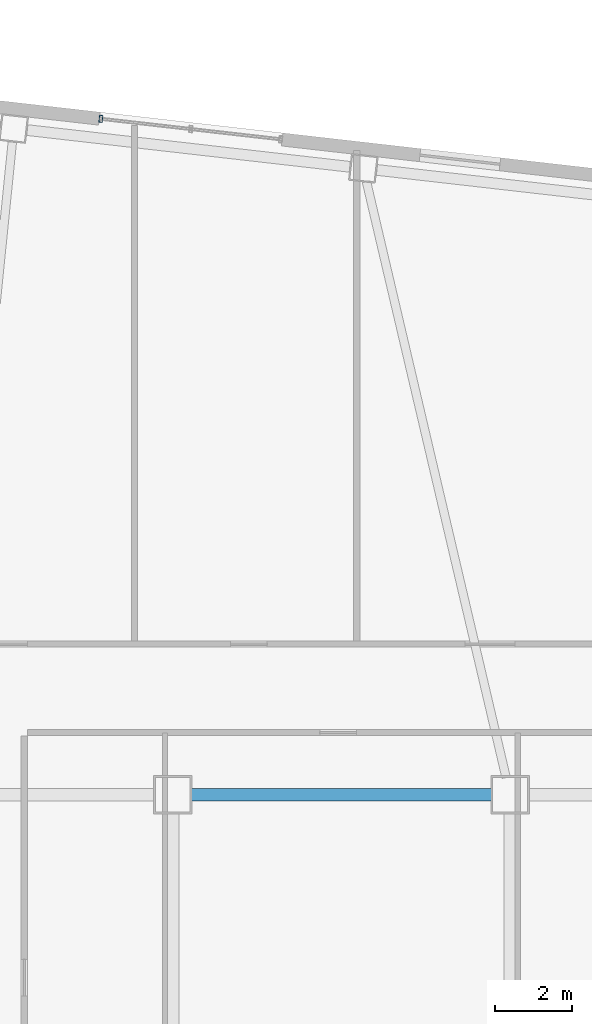
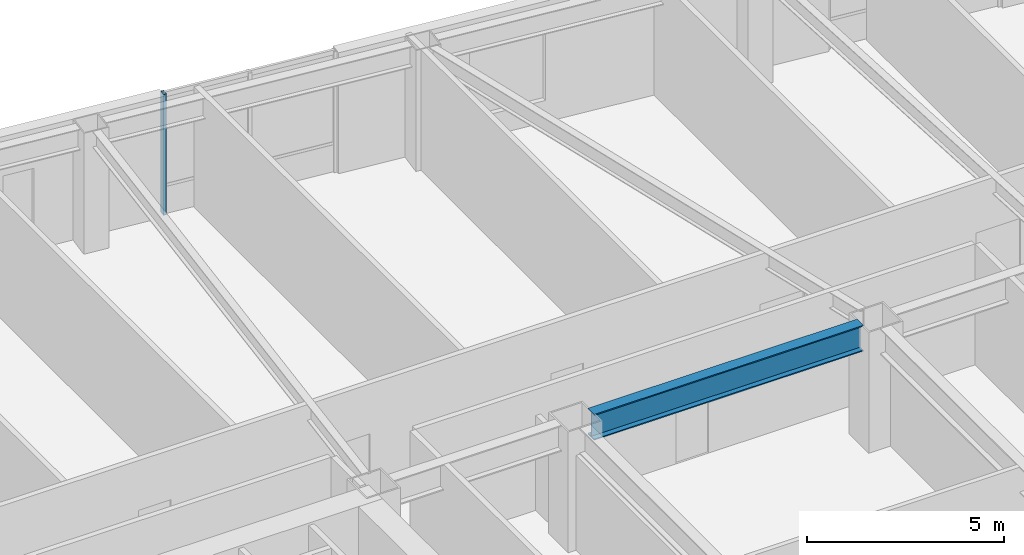
# One storey, part 6 of 21: 1 beam, 1 member, 1 element without a shape of its own.
"""IFC4 building model written with IfcOpenShell, lengths in metres."""

from ifc_helpers import new_model, si_unit, direction, frame, origin, origin_2d, place, context, subcontext, project, spatial, hollow_rectangle, i_section, extrude, material, layer, layer_set, material_profile, profile_set, type_object, element, aggregate, save


model = new_model("IFC4")

# Units and contexts
model_context = context("Model", 3, precision=1e-05, world=origin(), true_north=direction((0.0, 1.0)))
body_context = subcontext(model_context, "Body", "Model", "MODEL_VIEW")
ifc_project = project(units=[si_unit("LENGTHUNIT", "METRE"), si_unit("AREAUNIT", "SQUARE_METRE"), si_unit("VOLUMEUNIT", "CUBIC_METRE"), si_unit("PLANEANGLEUNIT", "RADIAN"), si_unit("MASSUNIT", "GRAM", prefix="KILO")], contexts=[model_context])

# Site, building, storey
site_placement = place(None, origin())
site = spatial("IfcSite", under=ifc_project, at=site_placement, CompositionType="ELEMENT")
building_placement = place(site_placement, origin())
building = spatial("IfcBuilding", under=site, at=building_placement, Name="Tavrogorsk Clinical Tower", CompositionType="ELEMENT")
storey_placement = place(building_placement, frame((0.0, 0.0, 129.39990234375)))
storey = spatial("IfcBuildingStorey", under=building, at=storey_placement, Name="L29", CompositionType="ELEMENT", Elevation=129.39990234375)

# Curtain wall, member
ifc_material_1 = material(Name="Anodised aluminium and triple IGU glazing", Category="aluminium")
ifc_layer = layer(ifc_material_1, 0.179931640625)
ifc_layer_set = layer_set([ifc_layer], Name="Anodised aluminium and triple IGU glazing")
curtain_wall_type = type_object("IfcCurtainWallType", Name="CW2_NorthSlot", PredefinedType="NOTDEFINED", material=ifc_layer_set)
curtain_wall_placement = place(storey_placement, origin())
curtain_wall = element("IfcCurtainWall", 1, at=curtain_wall_placement, inside=storey, type_object=curtain_wall_type, Name="L29 Curtain Wall CW-L29-N-SLOT-1", PredefinedType="NOTDEFINED")
ifc_material_2 = material(Name="Anodised aluminium alloy AW-6060", Category="aluminium")
ifc_material_profile_1 = material_profile(ifc_material_2, hollow_rectangle(XDim=0.090087890625, YDim=0.179931640625, WallThickness=0.00634765625, at=origin_2d()), Name="RHS-180x90x6.3")
ifc_profile_set_1 = profile_set([ifc_material_profile_1], Name="Anodised aluminium alloy AW-6060")
member_type = type_object("IfcMemberType", Name="CwMullion_180x90", PredefinedType="MULLION", material=ifc_profile_set_1)
member_placement = place(storey_placement, frame((-6.273681640625, 23.9775390625, 0.0), z_axis=(0.0, 0.0, 1.0), x_axis=(-0.993571858269, 0.113203191016, 0.0)))
member = element("IfcMember", 2, at=member_placement, type_object=member_type, Name="CW-L29-N-SLOT-1 Mullion 3", PredefinedType="MULLION", context=body_context, shape_type="SweptSolid", body=[
    extrude(hollow_rectangle(XDim=0.090087890625, YDim=0.179931640625, WallThickness=0.00634765625, at=origin_2d()), origin(), (0.0, 0.0, 1.0), 3.739990234375),
])
aggregate(curtain_wall, [member])

# Beam
ifc_material_3 = material(Name="Structural steel S390", Category="steel")
ifc_material_profile_2 = material_profile(ifc_material_3, i_section(OverallWidth=0.320068359375, OverallDepth=0.800048828125, WebThickness=0.02001953125, FlangeThickness=0.033935546875, at=origin_2d()), Name="B-800x320x20x34")
ifc_profile_set_2 = profile_set([ifc_material_profile_2], Name="Structural steel S390")
beam_type = type_object("IfcBeamType", Name="PrimaryGirder_B800", PredefinedType="USERDEFINED", material=ifc_profile_set_2)
beam_placement = place(storey_placement, frame((-3.93994140625, 6.35009765625, 3.340087890625), z_axis=(1.0, 0.0, 0.0), x_axis=(0.0, 1.0, 0.0)))
element("IfcBeam", 3, at=beam_placement, inside=storey, type_object=beam_type, Name="L29 Primary Spine Girder MG-04", ObjectType="GIRDER", PredefinedType="USERDEFINED", context=body_context, shape_type="SweptSolid", body=[
    extrude(i_section(OverallWidth=0.320068359375, OverallDepth=0.800048828125, WebThickness=0.02001953125, FlangeThickness=0.033935546875, at=origin_2d()), origin(), (0.0, 0.0, 1.0), 7.8798828125),
])

save(model, "model.ifc")
